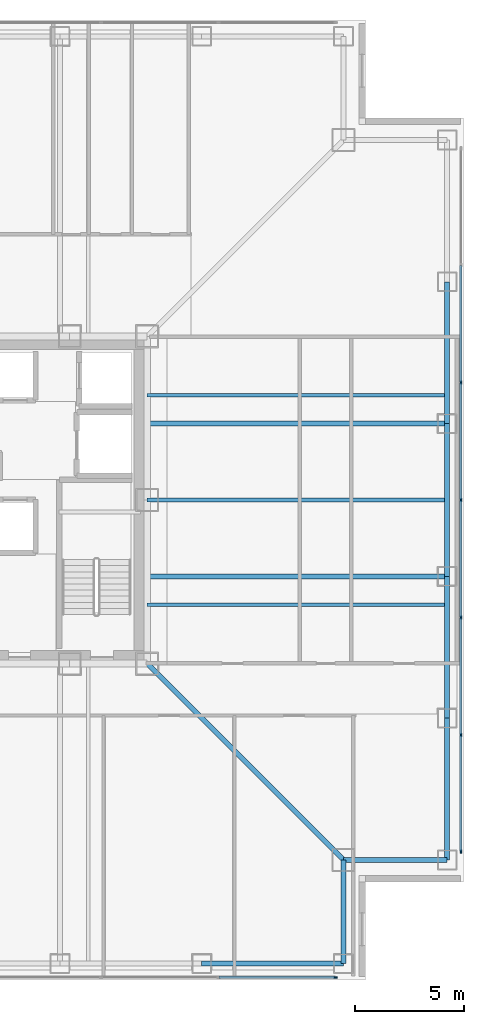
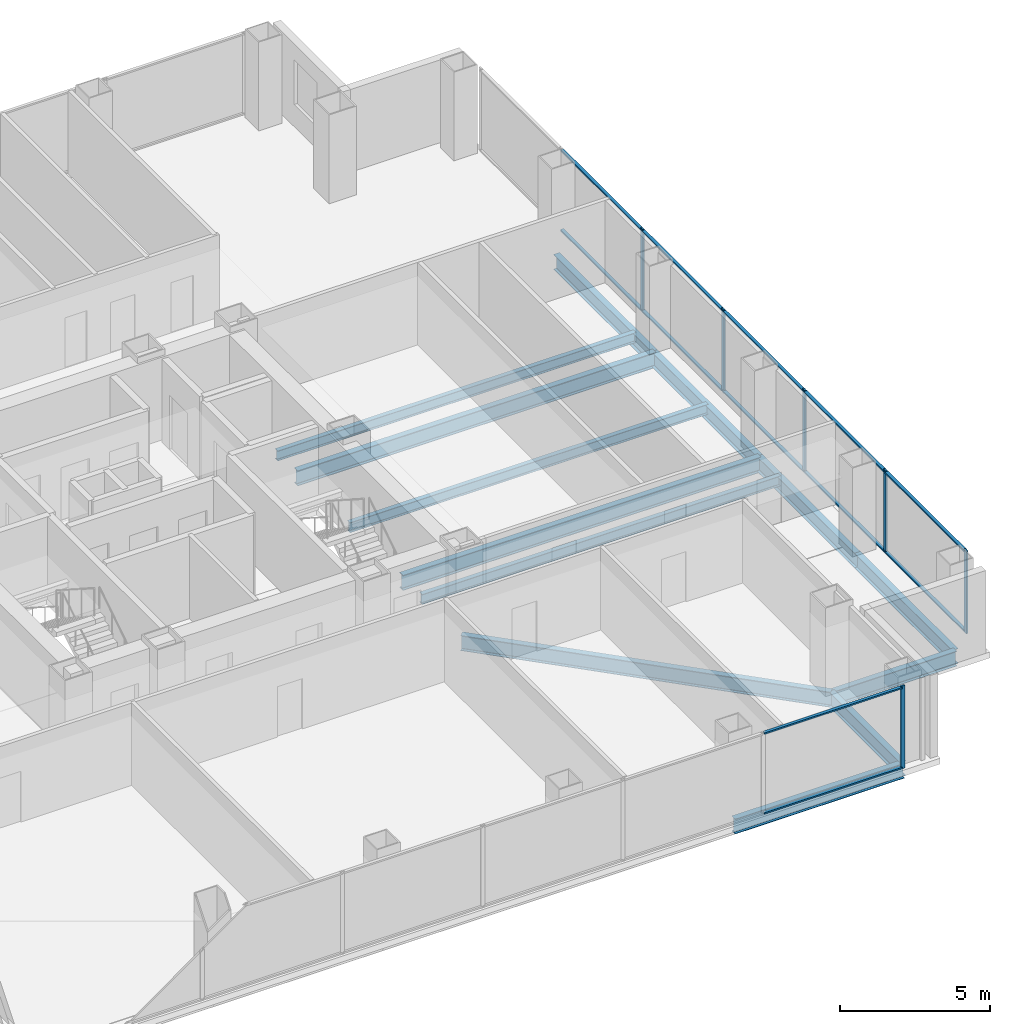
# One storey, part 6 of 14: 18 members, 13 beams, 2 elements without a shape of their own.
"""IFC4 building model written with IfcOpenShell, lengths in metres."""

from ifc_helpers import new_model, si_unit, direction, frame, origin, origin_2d, place, context, subcontext, project, spatial, rectangle, i_section, extrude, material, layer, layer_set, material_profile, profile_set, type_object, element, aggregate, save


model = new_model("IFC4")

# Units and contexts
model_context = context("Model", 3, precision=1e-05, world=origin(), true_north=direction((0.0, 1.0)))
body_context = subcontext(model_context, "Body", "Model", "MODEL_VIEW")
ifc_project = project(units=[si_unit("LENGTHUNIT", "METRE"), si_unit("AREAUNIT", "SQUARE_METRE"), si_unit("VOLUMEUNIT", "CUBIC_METRE"), si_unit("PLANEANGLEUNIT", "RADIAN"), si_unit("MASSUNIT", "GRAM", prefix="KILO")], contexts=[model_context])

# Site, building, storey
site_placement = place(None, origin())
site = spatial("IfcSite", under=ifc_project, at=site_placement, CompositionType="ELEMENT")
building_placement = place(site_placement, origin())
building = spatial("IfcBuilding", under=site, at=building_placement, Name="Trevonay Congress Spire", CompositionType="ELEMENT")
storey_placement = place(building_placement, frame((0.0, 0.0, 119.199951171875)))
storey = spatial("IfcBuildingStorey", under=building, at=storey_placement, Name="L30", CompositionType="ELEMENT", Elevation=119.199951171875)

# Beams
ifc_material_1 = material(Name="Steel ASTM A572 Grade 50", Category="steel")
ifc_material_profile_1 = material_profile(ifc_material_1, i_section(OverallWidth=0.22998046875, OverallDepth=0.616943359375, WebThickness=0.01318359375, FlangeThickness=0.022216796875, FilletRadius=0.01611328125, at=origin_2d()), Name="W610x140")
ifc_profile_set_1 = profile_set([ifc_material_profile_1], Name="Steel ASTM A572 Grade 50")
beam_type_1 = type_object("IfcBeamType", Name="BM-GIRD-W610X140", PredefinedType="BEAM", material=ifc_profile_set_1)
beam_1_placement = place(storey_placement, frame((7.5, -7.5, -0.54833984375), z_axis=(0.707106781187, -0.707106781187, 0.0), x_axis=(0.707106781187, 0.707106781187, 0.0)))
element("IfcBeam", 1, at=beam_1_placement, inside=storey, type_object=beam_type_1, Name="L30 structural beam BM-L30-CDSE", PredefinedType="BEAM", context=body_context, shape_type="SweptSolid", body=[
    extrude(i_section(OverallWidth=0.22998046875, OverallDepth=0.616943359375, WebThickness=0.01318359375, FlangeThickness=0.022216796875, FilletRadius=0.01611328125, at=origin_2d()), origin(), (0.0, 0.0, 1.0), 12.72802734375),
])
for number, where, z_axis, x_axis, name in (
    (2, (7.5, -3.5, -0.54833984375), (1.0, 0.0, 0.0), (0.0, 1.0, 0.0), "L30 structural beam BM-L30-GE-M"),
    (3, (7.5, 3.5, -0.54833984375), (1.0, 0.0, 0.0), (0.0, 1.0, 0.0), "L30 structural beam BM-L30-GE-P"),
):
    element("IfcBeam", number, at=place(storey_placement, frame(where, z_axis=z_axis, x_axis=x_axis)), inside=storey, type_object=beam_type_1, Name=name, PredefinedType="BEAM", context=body_context, shape_type="SweptSolid", body=[
        extrude(i_section(OverallWidth=0.22998046875, OverallDepth=0.616943359375, WebThickness=0.01318359375, FlangeThickness=0.022216796875, FilletRadius=0.01611328125, at=origin_2d()), origin(), (0.0, 0.0, 1.0), 13.75),
    ])
ifc_material_profile_2 = material_profile(ifc_material_1, i_section(OverallWidth=0.22802734375, OverallDepth=0.60791015625, WebThickness=0.01123046875, FlangeThickness=0.017333984375, FilletRadius=0.01611328125, at=origin_2d()), Name="W610x113")
ifc_profile_set_2 = profile_set([ifc_material_profile_2], Name="Steel ASTM A572 Grade 50")
beam_type_2 = type_object("IfcBeamType", Name="BM-RING-W610X113", PredefinedType="BEAM", material=ifc_profile_set_2)
for number, where, z_axis, x_axis, name in (
    (4, (21.25, -16.5, -0.5439453125), (0.0, 1.0, 0.0), (-1.0, 0.0, 0.0), "L30 structural beam BM-L30-PE1"),
    (5, (21.25, -10.0, -0.5439453125), (0.0, 1.0, 0.0), (-1.0, 0.0, 0.0), "L30 structural beam BM-L30-PE2"),
):
    element("IfcBeam", number, at=place(storey_placement, frame(where, z_axis=z_axis, x_axis=x_axis)), inside=storey, type_object=beam_type_2, Name=name, PredefinedType="BEAM", context=body_context, shape_type="SweptSolid", body=[
        extrude(i_section(OverallWidth=0.22802734375, OverallDepth=0.60791015625, WebThickness=0.01123046875, FlangeThickness=0.017333984375, FilletRadius=0.01611328125, at=origin_2d()), origin(), (0.0, 0.0, 1.0), 6.5),
    ])
beam_2_placement = place(storey_placement, frame((21.25, -3.5, -0.5439453125), z_axis=(0.0, 1.0, 0.0), x_axis=(-1.0, 0.0, 0.0)))
element("IfcBeam", 6, at=beam_2_placement, inside=storey, type_object=beam_type_2, Name="L30 structural beam BM-L30-PE3", PredefinedType="BEAM", context=body_context, shape_type="SweptSolid", body=[
    extrude(i_section(OverallWidth=0.22802734375, OverallDepth=0.60791015625, WebThickness=0.01123046875, FlangeThickness=0.017333984375, FilletRadius=0.01611328125, at=origin_2d()), origin(), (0.0, 0.0, 1.0), 7.0),
])
for number, where, z_axis, x_axis, name in (
    (7, (21.25, 3.5, -0.5439453125), (0.0, 1.0, 0.0), (-1.0, 0.0, 0.0), "L30 structural beam BM-L30-PE4"),
    (8, (10.0, -21.25, -0.5439453125), (1.0, 0.0, 0.0), (0.0, 1.0, 0.0), "L30 structural beam BM-L30-PS5"),
):
    element("IfcBeam", number, at=place(storey_placement, frame(where, z_axis=z_axis, x_axis=x_axis)), inside=storey, type_object=beam_type_2, Name=name, PredefinedType="BEAM", context=body_context, shape_type="SweptSolid", body=[
        extrude(i_section(OverallWidth=0.22802734375, OverallDepth=0.60791015625, WebThickness=0.01123046875, FlangeThickness=0.017333984375, FilletRadius=0.01611328125, at=origin_2d()), origin(), (0.0, 0.0, 1.0), 6.5),
    ])
for number, where, z_axis, x_axis, name in (
    (9, (16.5, -21.25, -0.5439453125), (0.0, 1.0, 0.0), (-1.0, 0.0, 0.0), "L30 structural beam BM-L30-N1SE"),
    (10, (21.25, -16.5, -0.5439453125), (-1.0, 0.0, 0.0), (0.0, -1.0, 0.0), "L30 structural beam BM-L30-N2SE"),
):
    element("IfcBeam", number, at=place(storey_placement, frame(where, z_axis=z_axis, x_axis=x_axis)), inside=storey, type_object=beam_type_2, Name=name, PredefinedType="BEAM", context=body_context, shape_type="SweptSolid", body=[
        extrude(i_section(OverallWidth=0.22802734375, OverallDepth=0.60791015625, WebThickness=0.01123046875, FlangeThickness=0.017333984375, FilletRadius=0.01611328125, at=origin_2d()), origin(), (0.0, 0.0, 1.0), 4.75),
    ])

# Curtain wall, member
ifc_material_2 = material(Name="Pale Anodised Aluminium EN AW-6063-T6", Category="aluminium")
ifc_layer = layer(ifc_material_2, 0.175048828125, Name="Pale Anodised Aluminium EN AW-6063-T6")
ifc_layer_set = layer_set([ifc_layer], Name="Pale Anodised Aluminium EN AW-6063-T6")
curtain_wall_type = type_object("IfcCurtainWallType", Name="CW-SYS03-CONGRESS-PALE-METAL", PredefinedType="NOTDEFINED", material=ifc_layer_set)
curtain_wall_1_placement = place(storey_placement, origin())
curtain_wall_1 = element("IfcCurtainWall", 11, at=curtain_wall_1_placement, inside=storey, type_object=curtain_wall_type, Name="L30 S unitised curtain wall", PredefinedType="NOTDEFINED")
ifc_material_profile_3 = material_profile(ifc_material_2, rectangle(XDim=0.06005859375, YDim=0.159912109375, at=origin_2d()), Name="CW-MULLION-160-ALUMINIUM")
ifc_profile_set_3 = profile_set([ifc_material_profile_3], Name="Pale Anodised Aluminium EN AW-6063-T6")
member_type_1 = type_object("IfcMemberType", Name="CW-MULLION-160-ALUMINIUM", PredefinedType="MULLION", material=ifc_profile_set_3)
member_1_placement = place(storey_placement, frame((16.1201171875, -21.8798828125, 0.0), z_axis=(0.0, 0.0, 1.0), x_axis=(0.0, 1.0, 0.0)))
member_1 = element("IfcMember", 12, at=member_1_placement, type_object=member_type_1, Name="CW03 mullion 7", PredefinedType="MULLION", context=body_context, shape_type="SweptSolid", body=[
    extrude(rectangle(XDim=0.06005859375, YDim=0.159912109375, at=origin_2d()), origin(), (0.0, 0.0, 1.0), 3.360107421875),
])

# Curtain wall, members
curtain_wall_2_placement = place(storey_placement, origin())
curtain_wall_2 = element("IfcCurtainWall", 13, at=curtain_wall_2_placement, inside=storey, type_object=curtain_wall_type, Name="L30 E unitised curtain wall", PredefinedType="NOTDEFINED")
member_2_placement = place(storey_placement, frame((21.8798828125, -16.1201171875, 0.0), z_axis=(0.0, 0.0, 1.0), x_axis=(-1.0, 0.0, 0.0)))
member_2 = element("IfcMember", 14, at=member_2_placement, type_object=member_type_1, Name="CW03 mullion 1", PredefinedType="MULLION", context=body_context, shape_type="SweptSolid", body=[
    extrude(rectangle(XDim=0.06005859375, YDim=0.159912109375, at=origin_2d()), origin(), (0.0, 0.0, 1.0), 3.360107421875),
])
member_3_placement = place(storey_placement, frame((21.8798828125, -10.7666015625, 0.0), z_axis=(0.0, 0.0, 1.0), x_axis=(-1.0, 0.0, 0.0)))
member_3 = element("IfcMember", 15, at=member_3_placement, type_object=member_type_1, Name="CW03 mullion 2", PredefinedType="MULLION", context=body_context, shape_type="SweptSolid", body=[
    extrude(rectangle(XDim=0.06005859375, YDim=0.159912109375, at=origin_2d()), origin(), (0.0, 0.0, 1.0), 3.360107421875),
])
member_4_placement = place(storey_placement, frame((21.8798828125, -5.38330078125, 0.0), z_axis=(0.0, 0.0, 1.0), x_axis=(-1.0, 0.0, 0.0)))
member_4 = element("IfcMember", 16, at=member_4_placement, type_object=member_type_1, Name="CW03 mullion 3", PredefinedType="MULLION", context=body_context, shape_type="SweptSolid", body=[
    extrude(rectangle(XDim=0.06005859375, YDim=0.159912109375, at=origin_2d()), origin(), (0.0, 0.0, 1.0), 3.360107421875),
])
member_5_placement = place(storey_placement, frame((21.8798828125, 0.0, 0.0), z_axis=(0.0, 0.0, 1.0), x_axis=(-1.0, 0.0, 0.0)))
member_5 = element("IfcMember", 17, at=member_5_placement, type_object=member_type_1, Name="CW03 mullion 4", PredefinedType="MULLION", context=body_context, shape_type="SweptSolid", body=[
    extrude(rectangle(XDim=0.06005859375, YDim=0.159912109375, at=origin_2d()), origin(), (0.0, 0.0, 1.0), 3.360107421875),
])
member_6_placement = place(storey_placement, frame((21.8798828125, 5.38330078125, 0.0), z_axis=(0.0, 0.0, 1.0), x_axis=(-1.0, 0.0, 0.0)))
member_6 = element("IfcMember", 18, at=member_6_placement, type_object=member_type_1, Name="CW03 mullion 5", PredefinedType="MULLION", context=body_context, shape_type="SweptSolid", body=[
    extrude(rectangle(XDim=0.06005859375, YDim=0.159912109375, at=origin_2d()), origin(), (0.0, 0.0, 1.0), 3.360107421875),
])

# Member
ifc_material_profile_4 = material_profile(ifc_material_2, rectangle(XDim=0.1201171875, YDim=0.06005859375, at=origin_2d()), Name="CW-TRANSOM-120-ALUMINIUM")
ifc_profile_set_4 = profile_set([ifc_material_profile_4], Name="Pale Anodised Aluminium EN AW-6063-T6")
member_type_2 = type_object("IfcMemberType", Name="CW-TRANSOM-120-ALUMINIUM", PredefinedType="USERDEFINED", material=ifc_profile_set_4)
member_7_placement = place(storey_placement, frame((10.796630859375, -21.8798828125, 0.06005859375), z_axis=(1.0, 0.0, 0.0), x_axis=(0.0, 1.0, 0.0)))
member_7 = element("IfcMember", 19, at=member_7_placement, type_object=member_type_2, Name="CW03 transom 6.1", ObjectType="TRANSOM", PredefinedType="USERDEFINED", context=body_context, shape_type="SweptSolid", body=[
    extrude(rectangle(XDim=0.1201171875, YDim=0.06005859375, at=origin_2d()), origin(), (0.0, 0.0, 1.0), 5.29345703125),
])

member_8_placement = place(storey_placement, frame((10.796630859375, -21.8798828125, 3.300048828125), z_axis=(1.0, 0.0, 0.0), x_axis=(0.0, 1.0, 0.0)))
member_8 = element("IfcMember", 20, at=member_8_placement, type_object=member_type_2, Name="CW03 transom 6.2", ObjectType="TRANSOM", PredefinedType="USERDEFINED", context=body_context, shape_type="SweptSolid", body=[
    extrude(rectangle(XDim=0.1201171875, YDim=0.06005859375, at=origin_2d()), origin(), (0.0, 0.0, 1.0), 5.29345703125),
])

aggregate(curtain_wall_1, [member_1, member_7, member_8])

member_9_placement = place(storey_placement, frame((21.8798828125, -16.090087890625, 0.06005859375), z_axis=(0.0, 1.0, 0.0), x_axis=(-1.0, 0.0, 0.0)))
member_9 = element("IfcMember", 21, at=member_9_placement, type_object=member_type_2, Name="CW03 transom 1.1", ObjectType="TRANSOM", PredefinedType="USERDEFINED", context=body_context, shape_type="SweptSolid", body=[
    extrude(rectangle(XDim=0.1201171875, YDim=0.06005859375, at=origin_2d()), origin(), (0.0, 0.0, 1.0), 5.29345703125),
])

member_10_placement = place(storey_placement, frame((21.8798828125, -16.090087890625, 3.300048828125), z_axis=(0.0, 1.0, 0.0), x_axis=(-1.0, 0.0, 0.0)))
member_10 = element("IfcMember", 22, at=member_10_placement, type_object=member_type_2, Name="CW03 transom 1.2", ObjectType="TRANSOM", PredefinedType="USERDEFINED", context=body_context, shape_type="SweptSolid", body=[
    extrude(rectangle(XDim=0.1201171875, YDim=0.06005859375, at=origin_2d()), origin(), (0.0, 0.0, 1.0), 5.29345703125),
])

member_11_placement = place(storey_placement, frame((21.8798828125, -10.736572265625, 0.06005859375), z_axis=(0.0, 1.0, 0.0), x_axis=(-1.0, 0.0, 0.0)))
member_11 = element("IfcMember", 23, at=member_11_placement, type_object=member_type_2, Name="CW03 transom 2.1", ObjectType="TRANSOM", PredefinedType="USERDEFINED", context=body_context, shape_type="SweptSolid", body=[
    extrude(rectangle(XDim=0.1201171875, YDim=0.06005859375, at=origin_2d()), origin(), (0.0, 0.0, 1.0), 5.3232421875),
])

member_12_placement = place(storey_placement, frame((21.8798828125, -10.736572265625, 3.300048828125), z_axis=(0.0, 1.0, 0.0), x_axis=(-1.0, 0.0, 0.0)))
member_12 = element("IfcMember", 24, at=member_12_placement, type_object=member_type_2, Name="CW03 transom 2.2", ObjectType="TRANSOM", PredefinedType="USERDEFINED", context=body_context, shape_type="SweptSolid", body=[
    extrude(rectangle(XDim=0.1201171875, YDim=0.06005859375, at=origin_2d()), origin(), (0.0, 0.0, 1.0), 5.3232421875),
])

member_13_placement = place(storey_placement, frame((21.8798828125, -5.353271484375, 0.06005859375), z_axis=(0.0, 1.0, 0.0), x_axis=(-1.0, 0.0, 0.0)))
member_13 = element("IfcMember", 25, at=member_13_placement, type_object=member_type_2, Name="CW03 transom 3.1", ObjectType="TRANSOM", PredefinedType="USERDEFINED", context=body_context, shape_type="SweptSolid", body=[
    extrude(rectangle(XDim=0.1201171875, YDim=0.06005859375, at=origin_2d()), origin(), (0.0, 0.0, 1.0), 5.3232421875),
])

member_14_placement = place(storey_placement, frame((21.8798828125, -5.353271484375, 3.300048828125), z_axis=(0.0, 1.0, 0.0), x_axis=(-1.0, 0.0, 0.0)))
member_14 = element("IfcMember", 26, at=member_14_placement, type_object=member_type_2, Name="CW03 transom 3.2", ObjectType="TRANSOM", PredefinedType="USERDEFINED", context=body_context, shape_type="SweptSolid", body=[
    extrude(rectangle(XDim=0.1201171875, YDim=0.06005859375, at=origin_2d()), origin(), (0.0, 0.0, 1.0), 5.3232421875),
])

member_15_placement = place(storey_placement, frame((21.8798828125, 0.030029296875, 0.06005859375), z_axis=(0.0, 1.0, 0.0), x_axis=(-1.0, 0.0, 0.0)))
member_15 = element("IfcMember", 27, at=member_15_placement, type_object=member_type_2, Name="CW03 transom 4.1", ObjectType="TRANSOM", PredefinedType="USERDEFINED", context=body_context, shape_type="SweptSolid", body=[
    extrude(rectangle(XDim=0.1201171875, YDim=0.06005859375, at=origin_2d()), origin(), (0.0, 0.0, 1.0), 5.3232421875),
])

member_16_placement = place(storey_placement, frame((21.8798828125, 0.030029296875, 3.300048828125), z_axis=(0.0, 1.0, 0.0), x_axis=(-1.0, 0.0, 0.0)))
member_16 = element("IfcMember", 28, at=member_16_placement, type_object=member_type_2, Name="CW03 transom 4.2", ObjectType="TRANSOM", PredefinedType="USERDEFINED", context=body_context, shape_type="SweptSolid", body=[
    extrude(rectangle(XDim=0.1201171875, YDim=0.06005859375, at=origin_2d()), origin(), (0.0, 0.0, 1.0), 5.3232421875),
])

member_17_placement = place(storey_placement, frame((21.8798828125, 5.413330078125, 0.06005859375), z_axis=(0.0, 1.0, 0.0), x_axis=(-1.0, 0.0, 0.0)))
member_17 = element("IfcMember", 29, at=member_17_placement, type_object=member_type_2, Name="CW03 transom 5.1", ObjectType="TRANSOM", PredefinedType="USERDEFINED", context=body_context, shape_type="SweptSolid", body=[
    extrude(rectangle(XDim=0.1201171875, YDim=0.06005859375, at=origin_2d()), origin(), (0.0, 0.0, 1.0), 5.3232421875),
])

member_18_placement = place(storey_placement, frame((21.8798828125, 5.413330078125, 3.300048828125), z_axis=(0.0, 1.0, 0.0), x_axis=(-1.0, 0.0, 0.0)))
member_18 = element("IfcMember", 30, at=member_18_placement, type_object=member_type_2, Name="CW03 transom 5.2", ObjectType="TRANSOM", PredefinedType="USERDEFINED", context=body_context, shape_type="SweptSolid", body=[
    extrude(rectangle(XDim=0.1201171875, YDim=0.06005859375, at=origin_2d()), origin(), (0.0, 0.0, 1.0), 5.3232421875),
])

aggregate(curtain_wall_2, [member_2, member_3, member_4, member_5, member_6, member_9, member_10, member_11, member_12, member_13, member_14, member_15, member_16, member_17, member_18])

# Beams
ifc_material_profile_5 = material_profile(ifc_material_1, i_section(OverallWidth=0.177978515625, OverallDepth=0.406982421875, WebThickness=0.0078125, FlangeThickness=0.0126953125, FilletRadius=0.012939453125, at=origin_2d()), Name="W410x60")
ifc_profile_set_5 = profile_set([ifc_material_profile_5], Name="Steel ASTM A572 Grade 50")
beam_type_3 = type_object("IfcBeamType", Name="JS-COMP-W410X60", PredefinedType="JOIST", material=ifc_profile_set_5)
for number, where, z_axis, x_axis, name in (
    (31, (7.5, -4.800048828125, -0.443359375), (1.0, 0.0, 0.0), (0.0, 1.0, 0.0), "L30 structural beam JS-L30-EW-E1"),
    (32, (7.5, 0.0, -0.443359375), (1.0, 0.0, 0.0), (0.0, 1.0, 0.0), "L30 structural beam JS-L30-EW-E2"),
    (33, (7.5, 4.800048828125, -0.443359375), (1.0, 0.0, 0.0), (0.0, 1.0, 0.0), "L30 structural beam JS-L30-EW-E3"),
):
    element("IfcBeam", number, at=place(storey_placement, frame(where, z_axis=z_axis, x_axis=x_axis)), inside=storey, type_object=beam_type_3, Name=name, PredefinedType="JOIST", context=body_context, shape_type="SweptSolid", body=[
        extrude(i_section(OverallWidth=0.177978515625, OverallDepth=0.406982421875, WebThickness=0.0078125, FlangeThickness=0.0126953125, FilletRadius=0.012939453125, at=origin_2d()), origin(), (0.0, 0.0, 1.0), 13.75),
    ])

save(model, "model.ifc")
